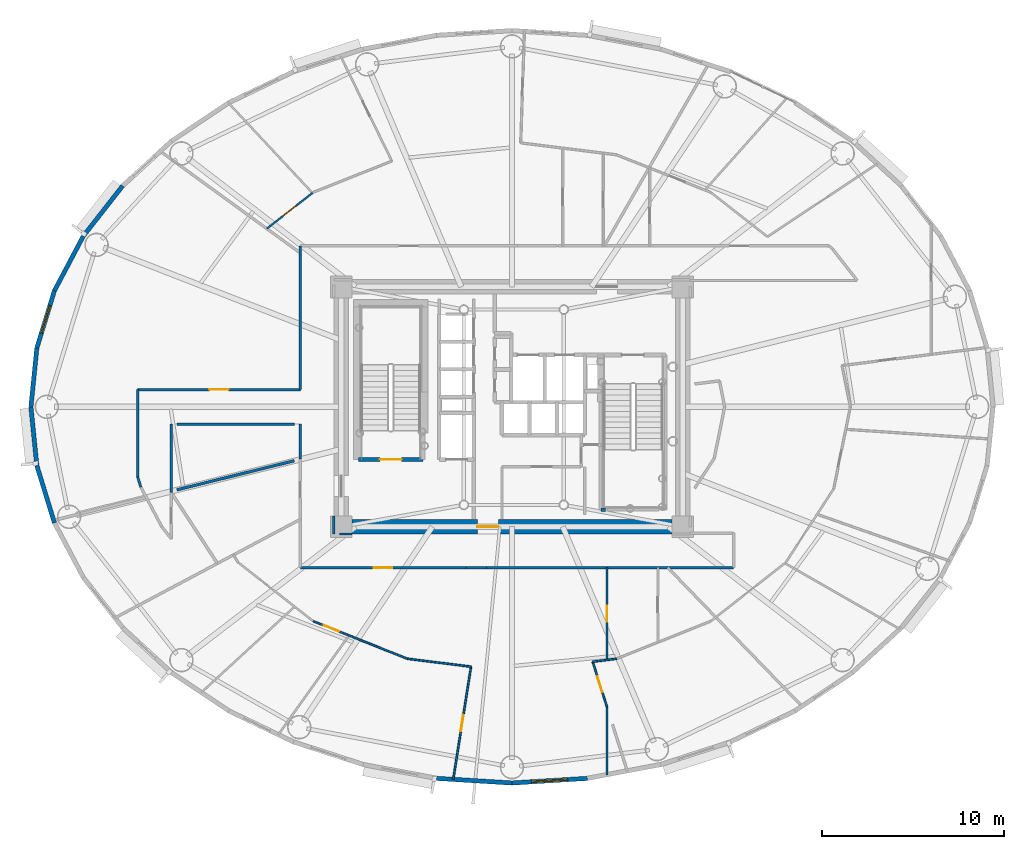
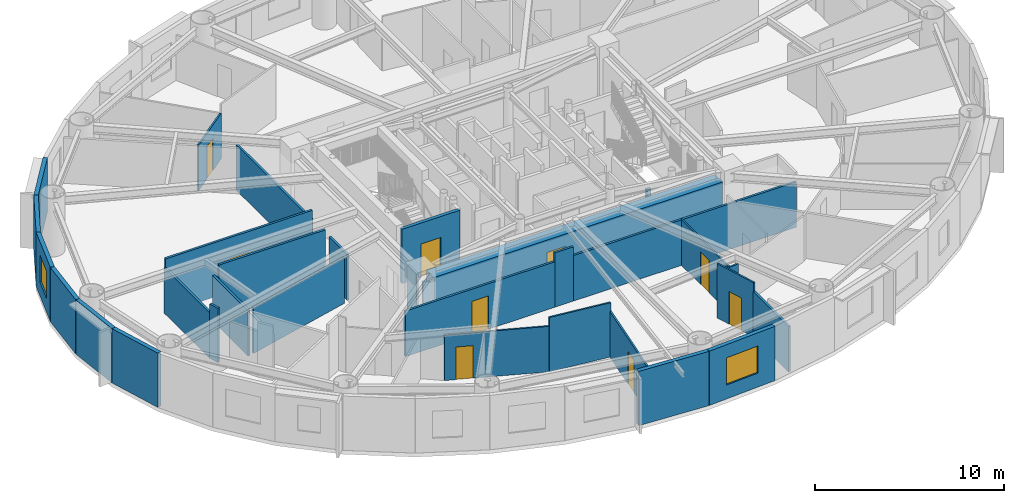
# One storey, part 7 of 17: 32 walls, 9 doors, 2 windows, 11 openings.
"""IFC4 building model written with IfcOpenShell, lengths in metres."""

from ifc_helpers import new_model, si_unit, direction, frame, frame_2d, origin, origin_2d, place, context, subcontext, project, spatial, rectangle, extrude, source, transform, mapped, material, layer, layer_set, type_object, element, fill, save


model = new_model("IFC4")

# Units and contexts
model_context = context("Model", 3, precision=1e-05, world=origin(), true_north=direction((0.0, 1.0)))
body_context = subcontext(model_context, "Body", "Model", "MODEL_VIEW")
ifc_project = project(units=[si_unit("LENGTHUNIT", "METRE"), si_unit("AREAUNIT", "SQUARE_METRE"), si_unit("VOLUMEUNIT", "CUBIC_METRE"), si_unit("PLANEANGLEUNIT", "RADIAN"), si_unit("MASSUNIT", "GRAM", prefix="KILO")], contexts=[model_context])

# Site, building, storey
site_placement = place(None, origin())
site = spatial("IfcSite", under=ifc_project, at=site_placement, CompositionType="ELEMENT")
building_placement = place(site_placement, origin())
building = spatial("IfcBuilding", under=site, at=building_placement, Name="Linh Dai School and Residence Tower", CompositionType="ELEMENT")
storey_placement = place(building_placement, frame((0.0, 0.0, 197.39990234375)))
storey = spatial("IfcBuildingStorey", under=building, at=storey_placement, Name="L48", CompositionType="ELEMENT", Elevation=197.39990234375)

# Walls
ifc_material_1 = material(Name="Precast Concrete B45 (C35/45)", Category="concrete")
ifc_layer_1 = layer(ifc_material_1, 0.239990234375)
ifc_layer_set_1 = layer_set([ifc_layer_1], Name="Precast Concrete B45 (C35/45)")
wall_type_1 = type_object("IfcWallType", Name="EW-TC-240", PredefinedType="SOLIDWALL", material=ifc_layer_set_1)
wall_1_placement = place(storey_placement, frame((12.404052734375, 36.388427734375, 0.0), z_axis=(0.0, 0.0, 1.0), x_axis=(0.616287674549, 0.787521112224, 0.0)))
element("IfcWall", 1, at=wall_1_placement, inside=storey, type_object=wall_type_1, Name="L48 Terracotta Exterior Wall 17", PredefinedType="SOLIDWALL", context=body_context, shape_type="SweptSolid", body=[
    extrude(rectangle(XDim=3.517333984375, YDim=0.239990234375, at=frame_2d((1.7587890625, 0.0))), origin(), (0.0, 0.0, 1.0), 3.5),
])
wall_2_placement = place(storey_placement, frame((10.8173828125, 33.388916015625, 0.0), z_axis=(0.0, 0.0, 1.0), x_axis=(0.467586874938, 0.88394712194, 0.0)))
element("IfcWall", 2, at=wall_2_placement, inside=storey, type_object=wall_type_1, Name="L48 Terracotta Exterior Wall 18", PredefinedType="SOLIDWALL", context=body_context, shape_type="SweptSolid", body=[
    extrude(rectangle(XDim=3.393310546875, YDim=0.239990234375, at=frame_2d((1.69677734375, 0.0))), origin(), (0.0, 0.0, 1.0), 3.5),
])

# Wall, opening, window
wall_3_placement = place(storey_placement, frame((9.85009765625, 30.233642578125, 0.0), z_axis=(0.0, 0.0, 1.0), x_axis=(0.293097995113, 0.956082405058, 0.0)))
wall_3 = element("IfcWall", 3, at=wall_3_placement, inside=storey, type_object=wall_type_1, Name="L48 Terracotta Exterior Wall 19", PredefinedType="SOLIDWALL", context=body_context, shape_type="SweptSolid", body=[
    extrude(rectangle(XDim=3.30029296875, YDim=0.239990234375, at=frame_2d((1.650146484375, 0.0))), origin(), (0.0, 0.0, 1.0), 3.5),
])
opening_1_placement = place(wall_3_placement, frame((0.85009765625, 0.0, 0.89990234375)))
opening_1 = element("IfcOpeningElement", 4, at=opening_1_placement, cuts=wall_3, Name="Opening W2", PredefinedType="OPENING", context=body_context, shape_type="SweptSolid", body=[
    extrude(rectangle(XDim=1.60009765625, YDim=1.75, at=origin_2d()), frame((0.800048828125, 0.1298828125, 0.875), z_axis=(0.0, -1.0, 0.0), x_axis=(1.0, 0.0, 0.0)), (0.0, 0.0, 1.0), 0.260009765625),
])
ifc_material_2 = material(Name="Double Low-E Insulated Glazing", Category="glass")
window_type_1 = type_object("IfcWindowType", Name="WN-RES-1600x1750", PartitioningType="DOUBLE_PANEL_VERTICAL", PredefinedType="WINDOW", material=ifc_material_2)
shared_shape_1 = source(origin(), body_context, "Body", "SweptSolid", [
    extrude(rectangle(XDim=1.60009765625, YDim=1.75, at=origin_2d()), frame((0.800048828125, 0.030029296875, 0.875), z_axis=(0.0, -1.0, 0.0), x_axis=(1.0, 0.0, 0.0)), (0.0, 0.0, 1.0), 0.06005859375),
])
window_1_placement = place(opening_1_placement, origin())
window_1 = element("IfcWindow", 5, at=window_1_placement, inside=storey, type_object=window_type_1, Name="L48 Exterior Window 19.1", OverallHeight=1.75, OverallWidth=1.60009765625, PartitioningType="DOUBLE_PANEL_VERTICAL", PredefinedType="WINDOW", context=body_context, shape_type="MappedRepresentation", body=[
    mapped(shared_shape_1, transform((0.0, 0.0, 0.0), x_axis=(1.0, 0.0, 0.0), y_axis=(0.0, 1.0, 0.0), z_axis=(0.0, 0.0, 1.0), scale=1.0)),
])
fill(opening_1, window_1)

# Walls
for number, where, z_axis, x_axis, name in (
    (6, (9.52490234375, 27.0, 0.0), (0.0, 0.0, 1.0), (0.100061534614, 0.994981250723, 0.0), "L48 Terracotta Exterior Wall 20"),
    (7, (9.85009765625, 23.766357421875, 0.0), (0.0, 0.0, 1.0), (-0.100061534614, 0.994981250723, 0.0), "L48 Terracotta Exterior Wall 21"),
):
    element("IfcWall", number, at=place(storey_placement, frame(where, z_axis=z_axis, x_axis=x_axis)), inside=storey, type_object=wall_type_1, Name=name, PredefinedType="SOLIDWALL", context=body_context, shape_type="SweptSolid", body=[
        extrude(rectangle(XDim=3.25, YDim=0.239990234375, at=frame_2d((1.625, 0.0))), origin(), (0.0, 0.0, 1.0), 3.5),
    ])
wall_4_placement = place(storey_placement, frame((10.8173828125, 20.611083984375, 0.0), z_axis=(0.0, 0.0, 1.0), x_axis=(-0.293097995113, 0.956082405058, 0.0)))
element("IfcWall", 8, at=wall_4_placement, inside=storey, type_object=wall_type_1, Name="L48 Terracotta Exterior Wall 22", PredefinedType="SOLIDWALL", context=body_context, shape_type="SweptSolid", body=[
    extrude(rectangle(XDim=3.30029296875, YDim=0.239990234375, at=frame_2d((1.650146484375, 0.0))), origin(), (0.0, 0.0, 1.0), 3.5),
])
wall_5_placement = place(storey_placement, frame((36.0, 6.294921875, 0.0), z_axis=(0.0, 0.0, 1.0), x_axis=(-0.998104600619, 0.061540281305, 0.0)))
element("IfcWall", 9, at=wall_5_placement, inside=storey, type_object=wall_type_1, Name="L48 Terracotta Exterior Wall 30", PredefinedType="SOLIDWALL", context=body_context, shape_type="SweptSolid", body=[
    extrude(rectangle(XDim=4.153564453125, YDim=0.239990234375, at=frame_2d((2.07666015625, 0.0))), origin(), (0.0, 0.0, 1.0), 3.5),
])

# Wall, opening, window
wall_6_placement = place(storey_placement, frame((40.145751953125, 6.550537109375, 0.0), z_axis=(0.0, 0.0, 1.0), x_axis=(-0.998104600619, -0.061540281305, 0.0)))
wall_6 = element("IfcWall", 10, at=wall_6_placement, inside=storey, type_object=wall_type_1, Name="L48 Terracotta Exterior Wall 31", PredefinedType="SOLIDWALL", context=body_context, shape_type="SweptSolid", body=[
    extrude(rectangle(XDim=4.153564453125, YDim=0.239990234375, at=frame_2d((2.07666015625, 0.0))), origin(), (0.0, 0.0, 1.0), 3.5),
])
opening_2_placement = place(wall_6_placement, frame((1.076904296875, 0.0, 0.89990234375)))
opening_2 = element("IfcOpeningElement", 11, at=opening_2_placement, cuts=wall_6, Name="Opening W1", PredefinedType="OPENING", context=body_context, shape_type="SweptSolid", body=[
    extrude(rectangle(XDim=2.0, YDim=1.75, at=origin_2d()), frame((1.0, 0.1298828125, 0.875), z_axis=(0.0, -1.0, 0.0), x_axis=(1.0, 0.0, 0.0)), (0.0, 0.0, 1.0), 0.260009765625),
])
window_type_2 = type_object("IfcWindowType", Name="WN-RES-2000x1750", PartitioningType="DOUBLE_PANEL_VERTICAL", PredefinedType="WINDOW", material=ifc_material_2)
shared_shape_2 = source(origin(), body_context, "Body", "SweptSolid", [
    extrude(rectangle(XDim=2.0, YDim=1.75, at=origin_2d()), frame((1.0, 0.030029296875, 0.875), z_axis=(0.0, -1.0, 0.0), x_axis=(1.0, 0.0, 0.0)), (0.0, 0.0, 1.0), 0.06005859375),
])
window_2_placement = place(opening_2_placement, origin())
window_2 = element("IfcWindow", 12, at=window_2_placement, inside=storey, type_object=window_type_2, Name="L48 Exterior Window 31.1", OverallHeight=1.75, OverallWidth=2.0, PartitioningType="DOUBLE_PANEL_VERTICAL", PredefinedType="WINDOW", context=body_context, shape_type="MappedRepresentation", body=[
    mapped(shared_shape_2, transform((0.0, 0.0, 0.0), x_axis=(1.0, 0.0, 0.0), y_axis=(0.0, 1.0, 0.0), z_axis=(0.0, 0.0, 1.0), scale=1.0)),
])
fill(opening_2, window_2)

# Walls
ifc_material_3 = material(Name="Autoclaved Aerated Concrete Blockwork", Category="masonry")
ifc_layer_2 = layer(ifc_material_3, 0.135009765625)
ifc_layer_set_2 = layer_set([ifc_layer_2], Name="Autoclaved Aerated Concrete Blockwork")
wall_type_2 = type_object("IfcWallType", Name="IW-CORR-135-EI90", PredefinedType="PARTITIONING", material=ifc_layer_set_2)
wall_7_placement = place(storey_placement, frame((15.39990234375, 23.14599609375, 0.0), z_axis=(0.0, 0.0, 1.0), x_axis=(0.0, 1.0, 0.0)))
element("IfcWall", 13, at=wall_7_placement, inside=storey, type_object=wall_type_2, Name="L48 Interior Partition Wall 003", PredefinedType="PARTITIONING", context=body_context, shape_type="SweptSolid", body=[
    extrude(rectangle(XDim=4.803955078125, YDim=0.135009765625, at=frame_2d((2.40185546875, 0.0))), origin(), (0.0, 0.0, 1.0), 2.93505859375),
])
wall_8_placement = place(storey_placement, frame((15.39990234375, 23.14599609375, 0.0), z_axis=(0.0, 0.0, 1.0), x_axis=(0.293335154151, -0.956009669061, 0.0)))
element("IfcWall", 14, at=wall_8_placement, inside=storey, type_object=wall_type_2, Name="L48 Interior Partition Wall 004", PredefinedType="PARTITIONING", context=body_context, shape_type="SweptSolid", body=[
    extrude(rectangle(XDim=0.59423828125, YDim=0.135009765625, at=frame_2d((0.297119140625, 0.0))), origin(), (0.0, 0.0, 1.0), 3.5),
])

# Wall, opening, door
wall_9_placement = place(storey_placement, frame((15.39990234375, 27.949951171875, 0.0), z_axis=(0.0, 0.0, 1.0), x_axis=(1.0, 0.0, 0.0)))
wall_9 = element("IfcWall", 15, at=wall_9_placement, inside=storey, type_object=wall_type_2, Name="L48 Interior Partition Wall 005", PredefinedType="PARTITIONING", context=body_context, shape_type="SweptSolid", body=[
    extrude(rectangle(XDim=8.9501953125, YDim=0.135009765625, at=frame_2d((4.47509765625, 0.0))), origin(), (0.0, 0.0, 1.0), 3.5),
])
opening_3_placement = place(wall_9_placement, frame((3.949951171875, 0.0, 0.0)))
opening_3 = element("IfcOpeningElement", 16, at=opening_3_placement, cuts=wall_9, Name="Opening D04", PredefinedType="OPENING", context=body_context, shape_type="SweptSolid", body=[
    extrude(rectangle(XDim=1.050048828125, YDim=2.14990234375, at=origin_2d()), frame((0.52490234375, 0.07763671875, 1.074951171875), z_axis=(0.0, -1.0, 0.0), x_axis=(1.0, 0.0, 0.0)), (0.0, 0.0, 1.0), 0.155029296875),
])
ifc_material_4 = material(Name="Acoustic Vision-Panel Timber Classroom Door", Category="wood")
door_type_1 = type_object("IfcDoorType", Name="DR-SCH-1050x2150-FD60S", OperationType="NOTDEFINED", PredefinedType="DOOR", material=ifc_material_4)
shared_shape_3 = source(origin(), body_context, "Body", "SweptSolid", [
    extrude(rectangle(XDim=1.050048828125, YDim=2.14990234375, at=origin_2d()), frame((0.52490234375, 0.02490234375, 1.074951171875), z_axis=(0.0, -1.0, 0.0), x_axis=(1.0, 0.0, 0.0)), (0.0, 0.0, 1.0), 0.050048828125),
])
door_1_placement = place(opening_3_placement, origin())
door_1 = element("IfcDoor", 17, at=door_1_placement, inside=storey, type_object=door_type_1, Name="L48 Sky Tea and Calligraphy Room Door", OperationType="SINGLE_SWING_LEFT", OverallHeight=2.14990234375, OverallWidth=1.050048828125, PredefinedType="DOOR", context=body_context, shape_type="MappedRepresentation", body=[
    mapped(shared_shape_3, transform((0.0, 0.0, 0.0), x_axis=(1.0, 0.0, 0.0), y_axis=(0.0, 1.0, 0.0), z_axis=(0.0, 0.0, 1.0), scale=1.0)),
])
fill(opening_3, door_1)

wall_10_placement = place(storey_placement, frame((24.35009765625, 18.14990234375, 0.0), z_axis=(0.0, 0.0, 1.0), x_axis=(1.0, 0.0, 0.0)))
wall_10 = element("IfcWall", 18, at=wall_10_placement, inside=storey, type_object=wall_type_2, Name="L48 Interior Partition Wall 020", PredefinedType="PARTITIONING", context=body_context, shape_type="SweptSolid", body=[
    extrude(rectangle(XDim=9.108642578125, YDim=0.135009765625, at=frame_2d((4.55419921875, 0.0))), origin(), (0.0, 0.0, 1.0), 2.93505859375),
])
opening_4_placement = place(wall_10_placement, frame((4.05419921875, 0.0, 0.0)))
opening_4 = element("IfcOpeningElement", 19, at=opening_4_placement, cuts=wall_10, Name="Opening D03", PredefinedType="OPENING", context=body_context, shape_type="SweptSolid", body=[
    extrude(rectangle(XDim=1.0, YDim=2.14990234375, at=origin_2d()), frame((0.5, 0.07763671875, 1.074951171875), z_axis=(0.0, -1.0, 0.0), x_axis=(1.0, 0.0, 0.0)), (0.0, 0.0, 1.0), 0.155029296875),
])
ifc_material_5 = material(Name="Fire-Rated Solid Timber Entrance Door", Category="wood")
door_type_2 = type_object("IfcDoorType", Name="DR-FLAT-1000x2150-FD60S", OperationType="NOTDEFINED", PredefinedType="DOOR", material=ifc_material_5)
shared_shape_4 = source(origin(), body_context, "Body", "SweptSolid", [
    extrude(rectangle(XDim=1.0, YDim=2.14990234375, at=origin_2d()), frame((0.5, 0.02490234375, 1.074951171875), z_axis=(0.0, -1.0, 0.0), x_axis=(1.0, 0.0, 0.0)), (0.0, 0.0, 1.0), 0.050048828125),
])
door_2_placement = place(opening_4_placement, origin())
door_2 = element("IfcDoor", 20, at=door_2_placement, inside=storey, type_object=door_type_2, Name="L48 U4801 Apartment Entrance Door", OperationType="SINGLE_SWING_RIGHT", OverallHeight=2.14990234375, OverallWidth=1.0, PredefinedType="DOOR", context=body_context, shape_type="MappedRepresentation", body=[
    mapped(shared_shape_4, transform((0.0, 0.0, 0.0), x_axis=(1.0, 0.0, 0.0), y_axis=(0.0, 1.0, 0.0), z_axis=(0.0, 0.0, 1.0), scale=1.0)),
])
fill(opening_4, door_2)

# Walls
wall_11_placement = place(storey_placement, frame((24.35009765625, 27.949951171875, 0.0), z_axis=(0.0, 0.0, 1.0), x_axis=(0.0, 1.0, 0.0)))
element("IfcWall", 21, at=wall_11_placement, inside=storey, type_object=wall_type_2, Name="L48 Interior Partition Wall 021", PredefinedType="PARTITIONING", context=body_context, shape_type="SweptSolid", body=[
    extrude(rectangle(XDim=7.900146484375, YDim=0.135009765625, at=frame_2d((3.9501953125, 0.0))), origin(), (0.0, 0.0, 1.0), 2.93505859375),
])
wall_12_placement = place(storey_placement, frame((34.604736328125, 18.14990234375, 0.0), z_axis=(0.0, 0.0, 1.0), x_axis=(1.0, 0.0, 0.0)))
element("IfcWall", 22, at=wall_12_placement, inside=storey, type_object=wall_type_2, Name="L48 Interior Partition Wall 037", PredefinedType="PARTITIONING", context=body_context, shape_type="SweptSolid", body=[
    extrude(rectangle(XDim=13.59521484375, YDim=0.135009765625, at=frame_2d((6.797607421875, 0.0))), origin(), (0.0, 0.0, 1.0), 2.93505859375),
])
wall_13_placement = place(storey_placement, frame((17.25, 26.050048828125, 0.0), z_axis=(0.0, 0.0, 1.0), x_axis=(0.0, -1.0, 0.0)))
element("IfcWall", 23, at=wall_13_placement, inside=storey, type_object=wall_type_2, Name="L48 Interior Partition Wall 096", PredefinedType="PARTITIONING", context=body_context, shape_type="SweptSolid", body=[
    extrude(rectangle(XDim=3.758056640625, YDim=0.135009765625, at=frame_2d((1.87890625, 0.0))), origin(), (0.0, 0.0, 1.0), 2.93505859375),
])
wall_14_placement = place(storey_placement, frame((26.199951171875, 20.989990234375, 0.0), z_axis=(0.0, 0.0, 1.0), x_axis=(0.0, -1.0, 0.0)))
element("IfcWall", 24, at=wall_14_placement, inside=storey, type_object=wall_type_2, Name="L48 Interior Partition Wall 101", PredefinedType="PARTITIONING", context=body_context, shape_type="SweptSolid", body=[
    extrude(rectangle(XDim=0.989990234375, YDim=0.135009765625, at=frame_2d((0.4951171875, 0.0))), origin(), (0.0, 0.0, 1.0), 3.5),
])
wall_15_placement = place(storey_placement, frame((26.507568359375, 20.0, 0.0), z_axis=(0.0, 0.0, 1.0), x_axis=(1.0, 0.0, 0.0)))
element("IfcWall", 25, at=wall_15_placement, inside=storey, type_object=wall_type_2, Name="L48 Interior Partition Wall 102", PredefinedType="PARTITIONING", context=body_context, shape_type="SweptSolid", body=[
    extrude(rectangle(XDim=0.682373046875, YDim=0.135009765625, at=frame_2d((0.34130859375, 0.0))), origin(), (0.0, 0.0, 1.0), 2.93505859375),
])
wall_16_placement = place(storey_placement, frame((34.5947265625, 18.14990234375, 0.0), z_axis=(0.0, 0.0, 1.0), x_axis=(-1.0, 0.0, 0.0)))
element("IfcWall", 26, at=wall_16_placement, inside=storey, type_object=wall_type_2, Name="L48 Interior Partition Wall 104", PredefinedType="PARTITIONING", context=body_context, shape_type="SweptSolid", body=[
    extrude(rectangle(XDim=1.1259765625, YDim=0.135009765625, at=frame_2d((0.56298828125, 0.0))), origin(), (0.0, 0.0, 1.0), 3.5),
])
wall_17_placement = place(storey_placement, frame((24.35009765625, 24.12255859375, 0.0), z_axis=(0.0, 0.0, 1.0), x_axis=(0.0, 1.0, 0.0)))
element("IfcWall", 27, at=wall_17_placement, inside=storey, type_object=wall_type_2, Name="L48 Interior Partition Wall 105", PredefinedType="PARTITIONING", context=body_context, shape_type="SweptSolid", body=[
    extrude(rectangle(XDim=1.927490234375, YDim=0.135009765625, at=frame_2d((0.9638671875, 0.0))), origin(), (0.0, 0.0, 1.0), 2.93505859375),
])
wall_18_placement = place(storey_placement, frame((24.04248046875, 26.050048828125, 0.0), z_axis=(0.0, 0.0, 1.0), x_axis=(-1.0, 0.0, 0.0)))
element("IfcWall", 28, at=wall_18_placement, inside=storey, type_object=wall_type_2, Name="L48 Interior Partition Wall 106", PredefinedType="PARTITIONING", context=body_context, shape_type="SweptSolid", body=[
    extrude(rectangle(XDim=6.48486328125, YDim=0.135009765625, at=frame_2d((3.242431640625, 0.0))), origin(), (0.0, 0.0, 1.0), 3.5),
])
wall_19_placement = place(storey_placement, frame((41.22705078125, 10.4833984375, 0.0), z_axis=(0.0, 0.0, 1.0), x_axis=(0.0, -1.0, 0.0)))
element("IfcWall", 29, at=wall_19_placement, inside=storey, type_object=wall_type_2, Name="L48 Interior Partition Wall 108", PredefinedType="PARTITIONING", context=body_context, shape_type="SweptSolid", body=[
    extrude(rectangle(XDim=3.734619140625, YDim=0.135009765625, at=frame_2d((1.8671875, 0.0))), origin(), (0.0, 0.0, 1.0), 2.93505859375),
])
ifc_layer_3 = layer(ifc_material_3, 0.14990234375)
ifc_layer_set_3 = layer_set([ifc_layer_3], Name="Autoclaved Aerated Concrete Blockwork")
wall_type_3 = type_object("IfcWallType", Name="IW-SCH-150-EI60", PredefinedType="PARTITIONING", material=ifc_layer_set_3)
wall_20_placement = place(storey_placement, frame((17.5576171875, 22.42919921875, 0.0), z_axis=(0.0, 0.0, 1.0), x_axis=(0.970632119323, 0.240568678214, 0.0)))
element("IfcWall", 30, at=wall_20_placement, inside=storey, type_object=wall_type_3, Name="L48 Interior Partition Wall 107", PredefinedType="PARTITIONING", context=body_context, shape_type="SweptSolid", body=[
    extrude(rectangle(XDim=6.660400390625, YDim=0.14990234375, at=frame_2d((3.330078125, 0.0))), origin(), (0.0, 0.0, 1.0), 2.93505859375),
])

# Wall, opening, door
ifc_material_6 = material(Name="Concrete B45 (C35/45)", Category="concrete")
ifc_layer_4 = layer(ifc_material_6, 0.199951171875)
ifc_layer_set_4 = layer_set([ifc_layer_4], Name="Concrete B45 (C35/45)")
wall_type_4 = type_object("IfcWallType", Name="IW-SHAFT-200-EI120", PredefinedType="PARTITIONING", material=ifc_layer_set_4)
wall_21_placement = place(storey_placement, frame((27.56005859375, 24.10009765625, 0.0), z_axis=(0.0, 0.0, 1.0), x_axis=(1.0, 0.0, 0.0)))
wall_21 = element("IfcWall", 31, at=wall_21_placement, inside=storey, type_object=wall_type_4, Name="L48 Interior Partition Wall 026", PredefinedType="PARTITIONING", context=body_context, shape_type="SweptSolid", body=[
    extrude(rectangle(XDim=3.5400390625, YDim=0.199951171875, at=frame_2d((1.77001953125, 0.0))), origin(), (0.0, 0.0, 1.0), 3.5),
])
opening_5_placement = place(wall_21_placement, frame((1.169921875, 0.0, 0.0)))
opening_5 = element("IfcOpeningElement", 32, at=opening_5_placement, cuts=wall_21, Name="Opening D01", PredefinedType="OPENING", context=body_context, shape_type="SweptSolid", body=[
    extrude(rectangle(XDim=1.199951171875, YDim=2.14990234375, at=origin_2d()), frame((0.60009765625, 0.10986328125, 1.074951171875), z_axis=(0.0, -1.0, 0.0), x_axis=(1.0, 0.0, 0.0)), (0.0, 0.0, 1.0), 0.219970703125),
])
ifc_material_7 = material(Name="Fire-Rated Steel Door Leaf", Category="steel")
door_type_3 = type_object("IfcDoorType", Name="DR-STAIR-1200x2150-FD90S", OperationType="NOTDEFINED", PredefinedType="DOOR", material=ifc_material_7)
shared_shape_5 = source(origin(), body_context, "Body", "SweptSolid", [
    extrude(rectangle(XDim=1.199951171875, YDim=2.14990234375, at=origin_2d()), frame((0.60009765625, 0.02490234375, 1.074951171875), z_axis=(0.0, -1.0, 0.0), x_axis=(1.0, 0.0, 0.0)), (0.0, 0.0, 1.0), 0.050048828125),
])
door_3_placement = place(opening_5_placement, origin())
door_3 = element("IfcDoor", 33, at=door_3_placement, inside=storey, type_object=door_type_3, Name="L48 Core Smokeproof Exit Stair ST1 Door", OperationType="SINGLE_SWING_RIGHT", OverallHeight=2.14990234375, OverallWidth=1.199951171875, PredefinedType="DOOR", context=body_context, shape_type="MappedRepresentation", body=[
    mapped(shared_shape_5, transform((0.0, 0.0, 0.0), x_axis=(1.0, 0.0, 0.0), y_axis=(0.0, 1.0, 0.0), z_axis=(0.0, 0.0, 1.0), scale=1.0)),
])
fill(opening_5, door_3)

# Wall
wall_22_placement = place(storey_placement, frame((40.89990234375, 21.330078125, 0.0), z_axis=(0.0, 0.0, 1.0), x_axis=(1.0, 0.0, 0.0)))
element("IfcWall", 34, at=wall_22_placement, inside=storey, type_object=wall_type_4, Name="L48 Interior Partition Wall 064", PredefinedType="PARTITIONING", context=body_context, shape_type="SweptSolid", body=[
    extrude(rectangle(XDim=0.25, YDim=0.199951171875, at=frame_2d((0.125, 0.0))), origin(), (0.0, 0.0, 1.0), 3.03515625),
])

# Wall, opening, door
ifc_material_8 = material(Name="Gypsum Plasterboard Acoustic Stud Partition", Category="masonry")
ifc_layer_5 = layer(ifc_material_8, 0.10009765625)
ifc_layer_set_5 = layer_set([ifc_layer_5], Name="Gypsum Plasterboard Acoustic Stud Partition")
wall_type_5 = type_object("IfcWallType", Name="IW-UNIT-100", PredefinedType="PARTITIONING", material=ifc_layer_set_5)
wall_23_placement = place(storey_placement, frame((22.5087890625, 36.802001953125, 0.0), z_axis=(0.0, 0.0, 1.0), x_axis=(0.787322269852, 0.616541680177, 0.0)))
wall_23 = element("IfcWall", 35, at=wall_23_placement, inside=storey, type_object=wall_type_5, Name="L48 Interior Partition Wall 017", PredefinedType="PARTITIONING", context=body_context, shape_type="SweptSolid", body=[
    extrude(rectangle(XDim=3.1865234375, YDim=0.10009765625, at=frame_2d((1.59326171875, 0.0))), origin(), (0.0, 0.0, 1.0), 2.93505859375),
])
opening_6_placement = place(wall_23_placement, frame((1.143310546875, 0.0, 0.0)))
opening_6 = element("IfcOpeningElement", 36, at=opening_6_placement, cuts=wall_23, Name="Opening D05", PredefinedType="OPENING", context=body_context, shape_type="SweptSolid", body=[
    extrude(rectangle(XDim=0.89990234375, YDim=2.10009765625, at=origin_2d()), frame((0.449951171875, 0.06005859375, 1.050048828125), z_axis=(0.0, -1.0, 0.0), x_axis=(1.0, 0.0, 0.0)), (0.0, 0.0, 1.0), 0.1201171875),
])
ifc_material_9 = material(Name="Engineered Timber Internal Door", Category="wood")
door_type_4 = type_object("IfcDoorType", Name="DR-INT-900x2100", OperationType="NOTDEFINED", PredefinedType="DOOR", material=ifc_material_9)
shared_shape_6 = source(origin(), body_context, "Body", "SweptSolid", [
    extrude(rectangle(XDim=0.89990234375, YDim=2.10009765625, at=origin_2d()), frame((0.449951171875, 0.02490234375, 1.050048828125), z_axis=(0.0, -1.0, 0.0), x_axis=(1.0, 0.0, 0.0)), (0.0, 0.0, 1.0), 0.050048828125),
])
door_4_placement = place(opening_6_placement, origin())
door_4 = element("IfcDoor", 37, at=door_4_placement, inside=storey, type_object=door_type_4, Name="L48 Apartment U4803 Study Door", OperationType="SINGLE_SWING_LEFT", OverallHeight=2.10009765625, OverallWidth=0.89990234375, PredefinedType="DOOR", context=body_context, shape_type="MappedRepresentation", body=[
    mapped(shared_shape_6, transform((0.0, 0.0, 0.0), x_axis=(1.0, 0.0, 0.0), y_axis=(0.0, 1.0, 0.0), z_axis=(0.0, 0.0, 1.0), scale=1.0)),
])
fill(opening_6, door_4)

wall_24_placement = place(storey_placement, frame((25.055419921875, 15.20361328125, 0.0), z_axis=(0.0, 0.0, 1.0), x_axis=(0.928798710424, -0.370584613166, 0.0)))
wall_24 = element("IfcWall", 38, at=wall_24_placement, inside=storey, type_object=wall_type_5, Name="L48 Interior Partition Wall 023", PredefinedType="PARTITIONING", context=body_context, shape_type="SweptSolid", body=[
    extrude(rectangle(XDim=5.588623046875, YDim=0.10009765625, at=frame_2d((2.79443359375, 0.0))), origin(), (0.0, 0.0, 1.0), 2.93505859375),
])
opening_7_placement = place(wall_24_placement, frame((0.63330078125, 0.0, 0.0)))
opening_7 = element("IfcOpeningElement", 39, at=opening_7_placement, cuts=wall_24, Name="Opening D05", PredefinedType="OPENING", context=body_context, shape_type="SweptSolid", body=[
    extrude(rectangle(XDim=0.89990234375, YDim=2.10009765625, at=origin_2d()), frame((0.449951171875, 0.06005859375, 1.050048828125), z_axis=(0.0, -1.0, 0.0), x_axis=(1.0, 0.0, 0.0)), (0.0, 0.0, 1.0), 0.1201171875),
])
door_5_placement = place(opening_7_placement, origin())
door_5 = element("IfcDoor", 40, at=door_5_placement, inside=storey, type_object=door_type_4, Name="L48 Apartment U4801 Study Door", OperationType="SINGLE_SWING_RIGHT", OverallHeight=2.10009765625, OverallWidth=0.89990234375, PredefinedType="DOOR", context=body_context, shape_type="MappedRepresentation", body=[
    mapped(shared_shape_6, transform((0.0, 0.0, 0.0), x_axis=(1.0, 0.0, 0.0), y_axis=(0.0, 1.0, 0.0), z_axis=(0.0, 0.0, 1.0), scale=1.0)),
])
fill(opening_7, door_5)

# Wall
wall_25_placement = place(storey_placement, frame((30.24609375, 13.132568359375, 0.0), z_axis=(0.0, 0.0, 1.0), x_axis=(0.992402005927, -0.123037630959, 0.0)))
element("IfcWall", 41, at=wall_25_placement, inside=storey, type_object=wall_type_5, Name="L48 Interior Partition Wall 027", PredefinedType="PARTITIONING", context=body_context, shape_type="SweptSolid", body=[
    extrude(rectangle(XDim=3.526123046875, YDim=0.10009765625, at=frame_2d((1.76318359375, 0.0))), origin(), (0.0, 0.0, 1.0), 3.5),
])

# Wall, opening, door
wall_26_placement = place(storey_placement, frame((32.766357421875, 6.4892578125, 0.0), z_axis=(0.0, 0.0, 1.0), x_axis=(0.155739200194, 0.987798208909, 0.0)))
wall_26 = element("IfcWall", 42, at=wall_26_placement, inside=storey, type_object=wall_type_5, Name="L48 Interior Partition Wall 035", PredefinedType="PARTITIONING", context=body_context, shape_type="SweptSolid", body=[
    extrude(rectangle(XDim=6.2861328125, YDim=0.10009765625, at=frame_2d((3.14306640625, 0.0))), origin(), (0.0, 0.0, 1.0), 2.93505859375),
])
opening_8_placement = place(wall_26_placement, frame((2.693115234375, 0.0, 0.0)))
opening_8 = element("IfcOpeningElement", 43, at=opening_8_placement, cuts=wall_26, Name="Opening D05", PredefinedType="OPENING", context=body_context, shape_type="SweptSolid", body=[
    extrude(rectangle(XDim=0.89990234375, YDim=2.10009765625, at=origin_2d()), frame((0.449951171875, 0.06005859375, 1.050048828125), z_axis=(0.0, -1.0, 0.0), x_axis=(1.0, 0.0, 0.0)), (0.0, 0.0, 1.0), 0.1201171875),
])
door_6_placement = place(opening_8_placement, origin())
door_6 = element("IfcDoor", 44, at=door_6_placement, inside=storey, type_object=door_type_4, Name="L48 Apartment U4801 Principal Bedroom 2 Door", OperationType="SINGLE_SWING_LEFT", OverallHeight=2.10009765625, OverallWidth=0.89990234375, PredefinedType="DOOR", context=body_context, shape_type="MappedRepresentation", body=[
    mapped(shared_shape_6, transform((0.0, 0.0, 0.0), x_axis=(1.0, 0.0, 0.0), y_axis=(0.0, 1.0, 0.0), z_axis=(0.0, 0.0, 1.0), scale=1.0)),
])
fill(opening_8, door_6)

wall_27_placement = place(storey_placement, frame((40.440185546875, 12.9697265625, 0.0), z_axis=(0.0, 0.0, 1.0), x_axis=(0.301727202982, -0.953394301945, 0.0)))
wall_27 = element("IfcWall", 45, at=wall_27_placement, inside=storey, type_object=wall_type_5, Name="L48 Interior Partition Wall 061", PredefinedType="PARTITIONING", context=body_context, shape_type="SweptSolid", body=[
    extrude(rectangle(XDim=2.60791015625, YDim=0.10009765625, at=frame_2d((1.303955078125, 0.0))), origin(), (0.0, 0.0, 1.0), 3.5),
])
opening_9_placement = place(wall_27_placement, frame((0.85400390625, 0.0, 0.0)))
opening_9 = element("IfcOpeningElement", 46, at=opening_9_placement, cuts=wall_27, Name="Opening D05", PredefinedType="OPENING", context=body_context, shape_type="SweptSolid", body=[
    extrude(rectangle(XDim=0.89990234375, YDim=2.10009765625, at=origin_2d()), frame((0.449951171875, 0.06005859375, 1.050048828125), z_axis=(0.0, -1.0, 0.0), x_axis=(1.0, 0.0, 0.0)), (0.0, 0.0, 1.0), 0.1201171875),
])
door_7_placement = place(opening_9_placement, origin())
door_7 = element("IfcDoor", 47, at=door_7_placement, inside=storey, type_object=door_type_4, Name="L48 Apartment U4801 Principal Bedroom 3 Door", OperationType="SINGLE_SWING_RIGHT", OverallHeight=2.10009765625, OverallWidth=0.89990234375, PredefinedType="DOOR", context=body_context, shape_type="MappedRepresentation", body=[
    mapped(shared_shape_6, transform((0.0, 0.0, 0.0), x_axis=(1.0, 0.0, 0.0), y_axis=(0.0, 1.0, 0.0), z_axis=(0.0, 0.0, 1.0), scale=1.0)),
])
fill(opening_9, door_7)

# Wall
wall_28_placement = place(storey_placement, frame((40.440185546875, 12.9697265625, 0.0), z_axis=(0.0, 0.0, 1.0), x_axis=(0.99240503164, 0.123013223584, 0.0)))
element("IfcWall", 48, at=wall_28_placement, inside=storey, type_object=wall_type_5, Name="L48 Interior Partition Wall 062", PredefinedType="PARTITIONING", context=body_context, shape_type="SweptSolid", body=[
    extrude(rectangle(XDim=1.32373046875, YDim=0.10009765625, at=frame_2d((0.661865234375, 0.0))), origin(), (0.0, 0.0, 1.0), 2.93505859375),
])

# Wall, opening, door
wall_29_placement = place(storey_placement, frame((41.22705078125, 13.0673828125, 0.0), z_axis=(0.0, 0.0, 1.0), x_axis=(0.0, 1.0, 0.0)))
wall_29 = element("IfcWall", 49, at=wall_29_placement, inside=storey, type_object=wall_type_5, Name="L48 Interior Partition Wall 067", PredefinedType="PARTITIONING", context=body_context, shape_type="SweptSolid", body=[
    extrude(rectangle(XDim=5.08251953125, YDim=0.10009765625, at=frame_2d((2.541259765625, 0.0))), origin(), (0.0, 0.0, 1.0), 2.93505859375),
])
opening_10_placement = place(wall_29_placement, frame((2.09130859375, 0.0, 0.0)))
opening_10 = element("IfcOpeningElement", 50, at=opening_10_placement, cuts=wall_29, Name="Opening D05", PredefinedType="OPENING", context=body_context, shape_type="SweptSolid", body=[
    extrude(rectangle(XDim=0.89990234375, YDim=2.10009765625, at=origin_2d()), frame((0.449951171875, 0.06005859375, 1.050048828125), z_axis=(0.0, -1.0, 0.0), x_axis=(1.0, 0.0, 0.0)), (0.0, 0.0, 1.0), 0.1201171875),
])
door_8_placement = place(opening_10_placement, origin())
door_8 = element("IfcDoor", 51, at=door_8_placement, inside=storey, type_object=door_type_4, Name="L48 Apartment U4801 Kitchen Door", OperationType="SINGLE_SWING_LEFT", OverallHeight=2.10009765625, OverallWidth=0.89990234375, PredefinedType="DOOR", context=body_context, shape_type="MappedRepresentation", body=[
    mapped(shared_shape_6, transform((0.0, 0.0, 0.0), x_axis=(1.0, 0.0, 0.0), y_axis=(0.0, 1.0, 0.0), z_axis=(0.0, 0.0, 1.0), scale=1.0)),
])
fill(opening_10, door_8)

ifc_material_10 = material(Name="Concrete B60 (C50/60)", Category="concrete")
ifc_layer_6 = layer(ifc_material_10, 0.800048828125)
ifc_layer_set_6 = layer_set([ifc_layer_6], Name="Concrete B60 (C50/60)")
wall_type_6 = type_object("IfcWallType", Name="WL-CORE800", PredefinedType="SHEAR", material=ifc_layer_set_6)
wall_30_placement = place(storey_placement, frame((44.800048828125, 20.39990234375, 0.0), z_axis=(0.0, 0.0, 1.0), x_axis=(-1.0, 0.0, 0.0)))
wall_30 = element("IfcWall", 52, at=wall_30_placement, inside=storey, type_object=wall_type_6, Name="L48 Central Core Shear Wall S", PredefinedType="SHEAR", context=body_context, shape_type="SweptSolid", body=[
    extrude(rectangle(XDim=17.60009765625, YDim=0.800048828125, at=frame_2d((8.800048828125, 0.0))), origin(), (0.0, 0.0, 1.0), 2.9501953125),
])
opening_11_placement = place(wall_30_placement, frame((9.550048828125, 0.0, 0.0)))
opening_11 = element("IfcOpeningElement", 53, at=opening_11_placement, cuts=wall_30, Name="Opening D02", PredefinedType="OPENING", context=body_context, shape_type="SweptSolid", body=[
    extrude(rectangle(XDim=1.14990234375, YDim=2.14990234375, at=origin_2d()), frame((0.574951171875, 0.41015625, 1.074951171875), z_axis=(0.0, -1.0, 0.0), x_axis=(1.0, 0.0, 0.0)), (0.0, 0.0, 1.0), 0.820068359375),
])
ifc_material_11 = material(Name="Fire-Rated Glazed Steel Lobby Door", Category="steel")
door_type_5 = type_object("IfcDoorType", Name="DR-LOBBY-1150x2150-FD90S", OperationType="NOTDEFINED", PredefinedType="DOOR", material=ifc_material_11)
shared_shape_7 = source(origin(), body_context, "Body", "SweptSolid", [
    extrude(rectangle(XDim=1.14990234375, YDim=2.14990234375, at=origin_2d()), frame((0.574951171875, 0.02490234375, 1.074951171875), z_axis=(0.0, -1.0, 0.0), x_axis=(1.0, 0.0, 0.0)), (0.0, 0.0, 1.0), 0.050048828125),
])
door_9_placement = place(opening_11_placement, origin())
door_9 = element("IfcDoor", 54, at=door_9_placement, inside=storey, type_object=door_type_5, Name="L48 Passenger Foyer Access Door", OperationType="SINGLE_SWING_LEFT", OverallHeight=2.14990234375, OverallWidth=1.14990234375, PredefinedType="DOOR", context=body_context, shape_type="MappedRepresentation", body=[
    mapped(shared_shape_7, transform((0.0, 0.0, 0.0), x_axis=(1.0, 0.0, 0.0), y_axis=(0.0, 1.0, 0.0), z_axis=(0.0, 0.0, 1.0), scale=1.0)),
])
fill(opening_11, door_9)

save(model, "model.ifc")
